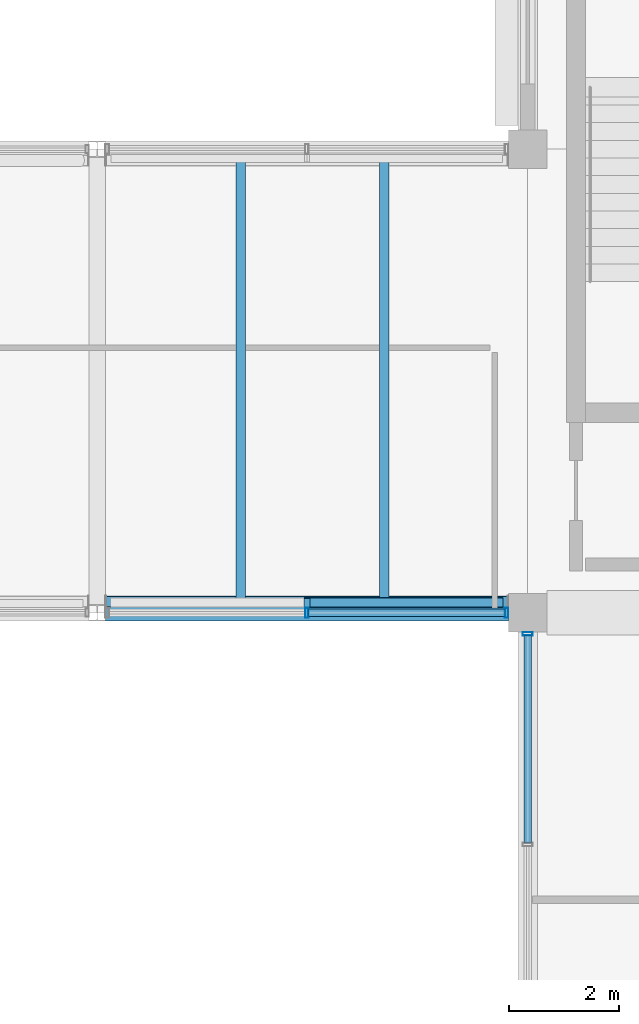
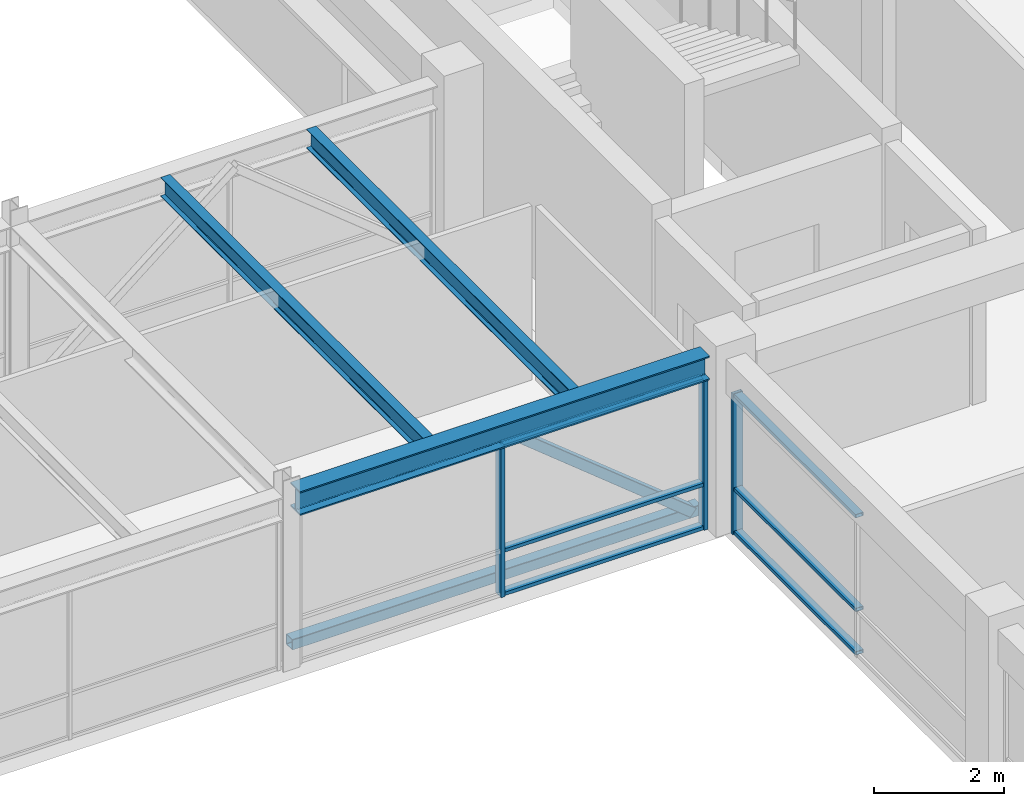
# One storey, part 24 of 49: 11 members, 3 beams, 2 elements without a shape of their own.
"""IFC4 building model written with IfcOpenShell, lengths in metres."""

from ifc_helpers import new_model, si_unit, direction, frame, origin, origin_2d, place, context, subcontext, project, spatial, hollow_rectangle, i_section, extrude, material, material_profile, profile_set, type_object, element, aggregate, save


model = new_model("IFC4")

# Units and contexts
model_context = context("Model", 3, precision=1e-05, world=origin(), true_north=direction((0.0, 1.0)))
body_context = subcontext(model_context, "Body", "Model", "MODEL_VIEW")
ifc_project = project(units=[si_unit("LENGTHUNIT", "METRE"), si_unit("AREAUNIT", "SQUARE_METRE"), si_unit("VOLUMEUNIT", "CUBIC_METRE"), si_unit("PLANEANGLEUNIT", "RADIAN"), si_unit("MASSUNIT", "GRAM", prefix="KILO"), si_unit("THERMODYNAMICTEMPERATUREUNIT", "KELVIN"), si_unit("POWERUNIT", "WATT")], contexts=[model_context])

# Site, building, storey
site_placement = place(None, origin())
site = spatial("IfcSite", under=ifc_project, at=site_placement, CompositionType="ELEMENT")
building_placement = place(site_placement, origin())
building = spatial("IfcBuilding", under=site, at=building_placement, Name="Srebrne Nadtorze General Hospital", CompositionType="ELEMENT")
storey_placement = place(building_placement, frame((0.0, 0.0, 26.10009765625)))
storey = spatial("IfcBuildingStorey", under=building, at=storey_placement, Name="L06", CompositionType="ELEMENT", Elevation=26.10009765625)

# Beam
ifc_material_1 = material(Name="Steel S355J2", Category="steel")
ifc_material_profile_1 = material_profile(ifc_material_1, i_section(OverallWidth=0.300048828125, OverallDepth=0.449951171875, WebThickness=0.013916015625, FlangeThickness=0.02587890625, FilletRadius=0.027099609375, at=origin_2d()), Name="HEB-450")
ifc_profile_set_1 = profile_set([ifc_material_profile_1], Name="Steel S355J2")
beam_type_1 = type_object("IfcBeamType", Name="Courtyard bridge girder HEB 450", PredefinedType="BEAM", material=ifc_profile_set_1)
beam_placement = place(storey_placement, frame((93.75, 50.39990234375, 3.074951171875), z_axis=(1.0, 0.0, 0.0), x_axis=(0.0, 1.0, 0.0)))
element("IfcBeam", 1, at=beam_placement, inside=storey, type_object=beam_type_1, Name="Beam BM-L06-X-1159", PredefinedType="BEAM", context=body_context, shape_type="SweptSolid", body=[
    extrude(i_section(OverallWidth=0.300048828125, OverallDepth=0.449951171875, WebThickness=0.013916015625, FlangeThickness=0.02587890625, FilletRadius=0.027099609375, at=origin_2d()), origin(), (0.0, 0.0, 1.0), 7.300048828125),
])

# Curtain wall, members
ifc_material_2 = material(Name="Anodised Aluminium", Category="aluminium")
curtain_wall_type_1 = type_object("IfcCurtainWallType", Name="Bridge curtain wall 7300x2850", PredefinedType="NOTDEFINED", material=ifc_material_2)
curtain_wall_1_placement = place(storey_placement, origin())
curtain_wall_1 = element("IfcCurtainWall", 2, at=curtain_wall_1_placement, inside=storey, type_object=curtain_wall_type_1, Name="Curtain wall CW-143", PredefinedType="NOTDEFINED")
ifc_material_3 = material(Name="Anodised Aluminium", Category="aluminium")
ifc_material_profile_2 = material_profile(ifc_material_3, hollow_rectangle(XDim=0.06494140625, YDim=0.179931640625, WallThickness=0.00390625, at=origin_2d()), Name="AL-MUL-65x180")
ifc_profile_set_2 = profile_set([ifc_material_profile_2], Name="Anodised Aluminium")
member_type_1 = type_object("IfcMemberType", Name="Curtain mullion 65x180", PredefinedType="MULLION", material=ifc_profile_set_2)
member_1_placement = place(storey_placement, frame((97.39990234375, 50.39990234375, 0.0), z_axis=(0.0, 0.0, 1.0), x_axis=(1.0, 0.0, 0.0)))
member_1 = element("IfcMember", 3, at=member_1_placement, type_object=member_type_1, Name="CW-143 mullion 2", PredefinedType="MULLION", context=body_context, shape_type="SweptSolid", body=[
    extrude(hollow_rectangle(XDim=0.06494140625, YDim=0.179931640625, WallThickness=0.00390625, at=origin_2d()), origin(), (0.0, 0.0, 1.0), 2.849853515625),
])
member_2_placement = place(storey_placement, frame((101.017578125, 50.39990234375, 0.0), z_axis=(0.0, 0.0, 1.0), x_axis=(1.0, 0.0, 0.0)))
member_2 = element("IfcMember", 4, at=member_2_placement, type_object=member_type_1, Name="CW-143 mullion 3", PredefinedType="MULLION", context=body_context, shape_type="SweptSolid", body=[
    extrude(hollow_rectangle(XDim=0.06494140625, YDim=0.179931640625, WallThickness=0.00390625, at=origin_2d()), origin(), (0.0, 0.0, 1.0), 2.849853515625),
])

# Curtain wall, member
ifc_material_4 = material(Name="Anodised Aluminium", Category="aluminium")
curtain_wall_type_2 = type_object("IfcCurtainWallType", Name="Unitised curtain wall 7700x2650", PredefinedType="NOTDEFINED", material=ifc_material_4)
curtain_wall_2_placement = place(storey_placement, origin())
curtain_wall_2 = element("IfcCurtainWall", 5, at=curtain_wall_2_placement, inside=storey, type_object=curtain_wall_type_2, Name="Curtain wall CW-153", PredefinedType="NOTDEFINED")
member_3_placement = place(storey_placement, frame((101.39990234375, 50.017578125, 0.0), z_axis=(0.0, 0.0, 1.0), x_axis=(0.0, 1.0, 0.0)))
member_3 = element("IfcMember", 6, at=member_3_placement, type_object=member_type_1, Name="CW-153 mullion 3", PredefinedType="MULLION", context=body_context, shape_type="SweptSolid", body=[
    extrude(hollow_rectangle(XDim=0.06494140625, YDim=0.179931640625, WallThickness=0.00390625, at=origin_2d()), origin(), (0.0, 0.0, 1.0), 2.64990234375),
])

# Member
ifc_material_5 = material(Name="Anodised Aluminium", Category="aluminium")
ifc_material_profile_3 = material_profile(ifc_material_5, hollow_rectangle(XDim=0.06494140625, YDim=0.139892578125, WallThickness=0.00390625, at=origin_2d()), Name="AL-TRN-65x140")
ifc_profile_set_3 = profile_set([ifc_material_profile_3], Name="Anodised Aluminium")
member_type_2 = type_object("IfcMemberType", Name="Curtain transom 65x140", PredefinedType="USERDEFINED", material=ifc_profile_set_3)
member_4_placement = place(storey_placement, frame((97.4326171875, 50.39990234375, 0.032470703125), z_axis=(1.0, 0.0, 0.0), x_axis=(0.0, 0.0, 1.0)))
member_4 = element("IfcMember", 7, at=member_4_placement, type_object=member_type_2, Name="CW-143 transom 2.1", ObjectType="TRANSOM", PredefinedType="USERDEFINED", context=body_context, shape_type="SweptSolid", body=[
    extrude(hollow_rectangle(XDim=0.06494140625, YDim=0.139892578125, WallThickness=0.00390625, at=origin_2d()), origin(), (0.0, 0.0, 1.0), 3.552490234375),
])

member_5_placement = place(storey_placement, frame((97.4326171875, 50.39990234375, 0.849853515625), z_axis=(1.0, 0.0, 0.0), x_axis=(0.0, 0.0, 1.0)))
member_5 = element("IfcMember", 8, at=member_5_placement, type_object=member_type_2, Name="CW-143 transom 2.2", ObjectType="TRANSOM", PredefinedType="USERDEFINED", context=body_context, shape_type="SweptSolid", body=[
    extrude(hollow_rectangle(XDim=0.06494140625, YDim=0.139892578125, WallThickness=0.00390625, at=origin_2d()), origin(), (0.0, 0.0, 1.0), 3.552490234375),
])

member_6_placement = place(storey_placement, frame((97.4326171875, 50.39990234375, 2.8173828125), z_axis=(1.0, 0.0, 0.0), x_axis=(0.0, 0.0, 1.0)))
member_6 = element("IfcMember", 9, at=member_6_placement, type_object=member_type_2, Name="CW-143 transom 2.3", ObjectType="TRANSOM", PredefinedType="USERDEFINED", context=body_context, shape_type="SweptSolid", body=[
    extrude(hollow_rectangle(XDim=0.06494140625, YDim=0.139892578125, WallThickness=0.00390625, at=origin_2d()), origin(), (0.0, 0.0, 1.0), 3.552490234375),
])

aggregate(curtain_wall_1, [member_1, member_2, member_4, member_5, member_6])

member_7_placement = place(storey_placement, frame((101.39990234375, 46.232421875, 0.032470703125), z_axis=(0.0, 1.0, 0.0), x_axis=(0.0, 0.0, 1.0)))
member_7 = element("IfcMember", 10, at=member_7_placement, type_object=member_type_2, Name="CW-153 transom 2.1", ObjectType="TRANSOM", PredefinedType="USERDEFINED", context=body_context, shape_type="SweptSolid", body=[
    extrude(hollow_rectangle(XDim=0.06494140625, YDim=0.139892578125, WallThickness=0.00390625, at=origin_2d()), origin(), (0.0, 0.0, 1.0), 3.752685546875),
])

member_8_placement = place(storey_placement, frame((101.39990234375, 46.232421875, 0.849853515625), z_axis=(0.0, 1.0, 0.0), x_axis=(0.0, 0.0, 1.0)))
member_8 = element("IfcMember", 11, at=member_8_placement, type_object=member_type_2, Name="CW-153 transom 2.2", ObjectType="TRANSOM", PredefinedType="USERDEFINED", context=body_context, shape_type="SweptSolid", body=[
    extrude(hollow_rectangle(XDim=0.06494140625, YDim=0.139892578125, WallThickness=0.00390625, at=origin_2d()), origin(), (0.0, 0.0, 1.0), 3.752685546875),
])

member_9_placement = place(storey_placement, frame((101.39990234375, 46.232421875, 2.617431640625), z_axis=(0.0, 1.0, 0.0), x_axis=(0.0, 0.0, 1.0)))
member_9 = element("IfcMember", 12, at=member_9_placement, type_object=member_type_2, Name="CW-153 transom 2.3", ObjectType="TRANSOM", PredefinedType="USERDEFINED", context=body_context, shape_type="SweptSolid", body=[
    extrude(hollow_rectangle(XDim=0.06494140625, YDim=0.139892578125, WallThickness=0.00390625, at=origin_2d()), origin(), (0.0, 0.0, 1.0), 3.752685546875),
])

aggregate(curtain_wall_2, [member_3, member_7, member_8, member_9])

# Beams
ifc_material_6 = material(Name="Steel S355J2", Category="steel")
ifc_material_profile_4 = material_profile(ifc_material_6, i_section(OverallWidth=0.169921875, OverallDepth=0.360107421875, WebThickness=0.008056640625, FlangeThickness=0.0126953125, FilletRadius=0.01806640625, at=origin_2d()), Name="IPE-360")
ifc_profile_set_4 = profile_set([ifc_material_profile_4], Name="Steel S355J2")
beam_type_2 = type_object("IfcBeamType", Name="Deck joist IPE 360", PredefinedType="JOIST", material=ifc_profile_set_4)
for number, where, z_axis, x_axis, name in (
    (13, (96.199951171875, 50.544921875, 3.119873046875), (0.0, 1.0, 0.0), (-1.0, 0.0, 0.0), "Clinical courtyard bridge deck joist 174"),
    (14, (98.800048828125, 50.544921875, 3.119873046875), (0.0, 1.0, 0.0), (-1.0, 0.0, 0.0), "Clinical courtyard bridge deck joist 175"),
):
    element("IfcBeam", number, at=place(storey_placement, frame(where, z_axis=z_axis, x_axis=x_axis)), inside=storey, type_object=beam_type_2, Name=name, PredefinedType="JOIST", context=body_context, shape_type="SweptSolid", body=[
        extrude(i_section(OverallWidth=0.169921875, OverallDepth=0.360107421875, WebThickness=0.008056640625, FlangeThickness=0.0126953125, FilletRadius=0.01806640625, at=origin_2d()), origin(), (0.0, 0.0, 1.0), 8.110107421875),
    ])

# Members
ifc_material_7 = material(Name="Steel S355J2", Category="steel")
ifc_material_profile_5 = material_profile(ifc_material_7, hollow_rectangle(XDim=0.179931640625, YDim=0.179931640625, WallThickness=0.008056640625, InnerFilletRadius=0.008056640625, OuterFilletRadius=0.011962890625, at=origin_2d()), Name="SHS-180x180x8")
ifc_profile_set_5 = profile_set([ifc_material_profile_5], Name="Steel S355J2")
member_type_3 = type_object("IfcMemberType", Name="Diagonal brace SHS 180x180x8", PredefinedType="BRACE", material=ifc_profile_set_5)
member_10_placement = place(storey_placement, frame((100.89990234375, 50.5849609375, 0.25), z_axis=(-0.777624948613, 0.0, 0.628728430481), x_axis=(0.0, -1.0, 0.0)))
element("IfcMember", 15, at=member_10_placement, inside=storey, type_object=member_type_3, Name="Clinical courtyard bridge brace 36", PredefinedType="BRACE", context=body_context, shape_type="SweptSolid", body=[
    extrude(hollow_rectangle(XDim=0.179931640625, YDim=0.179931640625, WallThickness=0.008056640625, InnerFilletRadius=0.008056640625, OuterFilletRadius=0.011962890625, at=origin_2d()), origin(), (0.0, 0.0, 1.0), 4.5009765625),
])
ifc_material_8 = material(Name="Steel S355J2", Category="steel")
ifc_material_profile_6 = material_profile(ifc_material_8, hollow_rectangle(XDim=0.199951171875, YDim=0.199951171875, WallThickness=0.010009765625, InnerFilletRadius=0.010009765625, OuterFilletRadius=0.014892578125, at=origin_2d()), Name="SHS-200x200x10")
ifc_profile_set_6 = profile_set([ifc_material_profile_6], Name="Steel S355J2")
member_type_4 = type_object("IfcMemberType", Name="Truss chord SHS 200x200x10", PredefinedType="CHORD", material=ifc_profile_set_6)
member_11_placement = place(storey_placement, frame((93.761962890625, 50.60498046875, 0.25), z_axis=(1.0, 0.0, 0.0), x_axis=(0.0, 1.0, 0.0)))
element("IfcMember", 16, at=member_11_placement, inside=storey, type_object=member_type_4, Name="Clinical courtyard bridge truss chord 18", PredefinedType="CHORD", context=body_context, shape_type="SweptSolid", body=[
    extrude(hollow_rectangle(XDim=0.199951171875, YDim=0.199951171875, WallThickness=0.010009765625, InnerFilletRadius=0.010009765625, OuterFilletRadius=0.014892578125, at=origin_2d()), origin(), (0.0, 0.0, 1.0), 7.276123046875),
])

save(model, "model.ifc")
